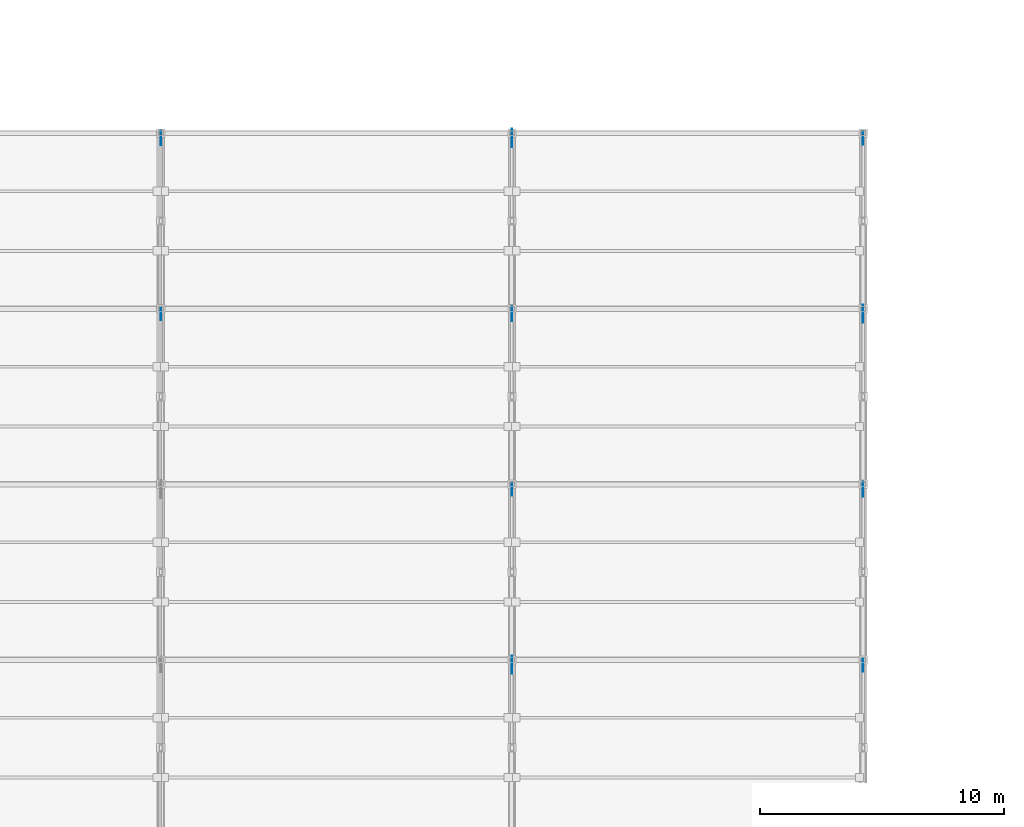
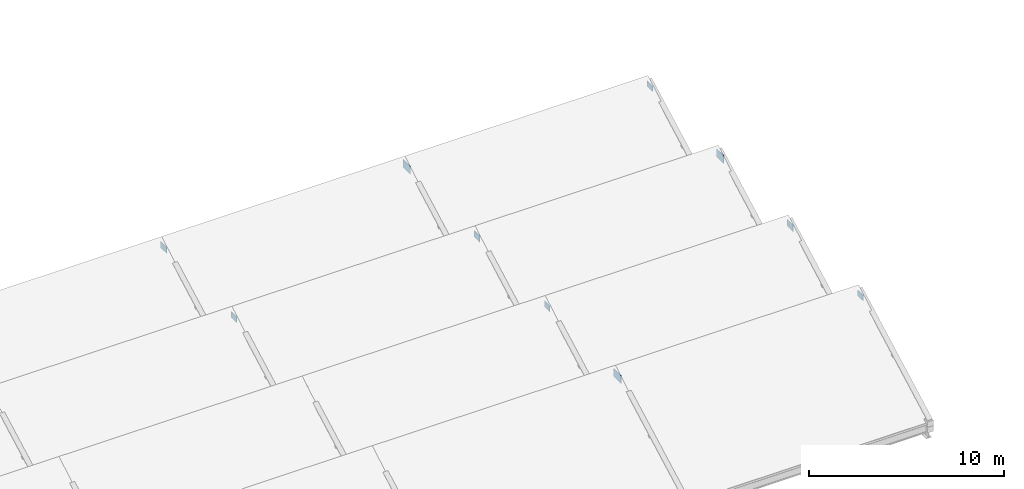
# One storey, part 33 of 51: 10 plates.
"""IFC4 building model written with IfcOpenShell, lengths in metres."""

import ifcopenshell
import ifcopenshell.guid

model = None  # the IFC model being written
_history = None  # IfcOwnerHistory: only IFC2X3 demands one
_inside = {}  # id of a spatial element -> (the spatial element, [elements in it])
_under = {}  # id of a project, library or spatial element -> (it, [spatial elements below it])
_declared = {}  # id of a project -> (the project, [libraries it declares])
_typed = {}  # id of a type object -> (the type object, [elements of that type])
_made_of = {}  # id of a material, layer set ... -> (it, [elements and type objects made of it])


def new_model(schema):
    """Start an empty IFC model of exactly this schema.

    Asked for "IFC4X3", IfcOpenShell would pick the latest addendum, in which some entities
    have other attributes; the version numbers below select the first issue.
    IFC2X3 requires an IfcOwnerHistory on every rooted entity: one is made here for all.
    """
    global model, _history
    if schema == "IFC4X3":
        model = ifcopenshell.file(schema_version=(4, 3, 0, 0))
    else:
        model = ifcopenshell.file(schema=schema)
    _inside.clear()
    _under.clear()
    _declared.clear()
    _typed.clear()
    _made_of.clear()
    _history = None
    if model.schema == "IFC2X3":
        org = make("IfcOrganization", Name="unknown")
        user = make(
            "IfcPersonAndOrganization",
            ThePerson=make("IfcPerson", FamilyName="unknown"),
            TheOrganization=org,
        )
        app = make(
            "IfcApplication",
            ApplicationDeveloper=org,
            Version="unknown",
            ApplicationFullName="unknown",
            ApplicationIdentifier="unknown",
        )
        _history = make(
            "IfcOwnerHistory",
            OwningUser=user,
            OwningApplication=app,
            ChangeAction="ADDED",
            CreationDate=0,
        )
    return model


def make(cls, **values):
    """One entity of the class cls with the attributes given. An attribute that is None is left unset."""
    return model.create_entity(
        cls, **{name: value for name, value in values.items() if value is not None}
    )


def rooted(cls, **values):
    """An entity with a GlobalId (a new one), such as an element, a storey or a relation."""
    return make(cls, GlobalId=ifcopenshell.guid.new(), OwnerHistory=_history, **values)


def si_unit(unit_type, name, prefix=None):
    """IfcSIUnit, for example si_unit("LENGTHUNIT", "METRE", prefix="MILLI")."""
    return make("IfcSIUnit", UnitType=unit_type, Prefix=prefix, Name=name)


def assignment(units):
    """IfcUnitAssignment: the units of a project."""
    return None if units is None else make("IfcUnitAssignment", Units=units)


def point(xyz):
    """IfcCartesianPoint."""
    return None if xyz is None else make("IfcCartesianPoint", Coordinates=xyz)


def direction(xyz):
    """IfcDirection."""
    return None if xyz is None else make("IfcDirection", DirectionRatios=xyz)


def frame(location, z_axis=None, x_axis=None):
    """IfcAxis2Placement3D, a coordinate frame: its origin and axes. An axis left out is left unset."""
    return make(
        "IfcAxis2Placement3D",
        Location=point(location),
        Axis=direction(z_axis),
        RefDirection=direction(x_axis),
    )


def frame_2d(location, x_axis=None):
    """IfcAxis2Placement2D, a coordinate frame in the plane: its origin and x axis."""
    return make(
        "IfcAxis2Placement2D", Location=point(location), RefDirection=direction(x_axis)
    )


def origin():
    """The frame at (0, 0, 0) with its axes left unset."""
    return frame((0.0, 0.0, 0.0))


def origin_2d():
    """The frame at (0, 0) in the plane with its x axis left unset."""
    return frame_2d((0.0, 0.0))


def place(relative_to, where):
    """IfcLocalPlacement: puts the frame where relative to a parent placement (None: the world)."""
    return make(
        "IfcLocalPlacement", PlacementRelTo=relative_to, RelativePlacement=where
    )


def context(
    kind, dimensions, precision=None, world=None, true_north=None, identifier=None
):
    """IfcGeometricRepresentationContext, for example the 3D "Model" context."""
    return make(
        "IfcGeometricRepresentationContext",
        ContextIdentifier=identifier,
        ContextType=kind,
        CoordinateSpaceDimension=dimensions,
        Precision=precision,
        WorldCoordinateSystem=world,
        TrueNorth=true_north,
    )


def subcontext(parent, identifier, kind, view, scale=None):
    """IfcGeometricRepresentationSubContext, for example "Body" below "Model"."""
    return make(
        "IfcGeometricRepresentationSubContext",
        ContextIdentifier=identifier,
        ContextType=kind,
        ParentContext=parent,
        TargetScale=scale,
        TargetView=view,
    )


def project(units=None, contexts=None):
    """IfcProject with its units and contexts."""
    return rooted(
        "IfcProject",
        Name="project",
        RepresentationContexts=contexts,
        UnitsInContext=assignment(units),
    )


def spatial(cls, under=None, at=None, **own):
    """A site, building, storey or space (cls), placed at a placement, below another one or the project."""
    s = rooted(cls, ObjectPlacement=at, **own)
    if under is not None:
        _under.setdefault(under.id(), (under, []))[1].append(s)
    return s


def profile(cls, at=None, kind="AREA", **sizes):
    """A parametric profile (cls). Its sizes go by their IFC names, for example OverallWidth=200.0."""
    return make(cls, ProfileType=kind, Position=at, **sizes)


def rectangle(**sizes):
    """IfcRectangleProfileDef."""
    return profile("IfcRectangleProfileDef", **sizes)


def extrude(swept, where, along, depth):
    """IfcExtrudedAreaSolid: the profile swept, set in the frame where, extruded along a direction by depth."""
    return make(
        "IfcExtrudedAreaSolid",
        SweptArea=swept,
        Position=where,
        ExtrudedDirection=direction(along),
        Depth=depth,
    )


def shape(context_of_items, identifier, shape_type, items):
    """IfcShapeRepresentation: the items that make up one representation, for example the "Body"."""
    return make(
        "IfcShapeRepresentation",
        ContextOfItems=context_of_items,
        RepresentationIdentifier=identifier,
        RepresentationType=shape_type,
        Items=items,
    )


def material(Name=None, Category=None):
    """IfcMaterial."""
    return make("IfcMaterial", Name=Name, Category=Category)


def made_of(thing, what):
    """Note that an element or type object is made of a material, layer set ...; save() writes the relation."""
    if what is not None:
        _made_of.setdefault(what.id(), (what, []))[1].append(thing)
    return thing


def type_object(cls, material=None, **own):
    """A type object (cls), such as IfcWallType, which elements share."""
    return made_of(rooted(cls, **own), material)


def element(
    cls,
    number,
    at=None,
    inside=None,
    cuts=None,
    type_object=None,
    material=None,
    context=None,
    identifier="Body",
    shape_type=None,
    held_by="IfcProductDefinitionShape",
    body=None,
    shapes=None,
    **own,
):
    """One element of the class cls, such as IfcWall. Its Tag is "e" and its number.

    at: its placement. inside: the storey or other place that contains it. cuts: it is an
    opening in that element (IfcRelVoidsElement). A single representation is given by context,
    identifier, shape_type and body (its items); several are given by shapes. held_by: the class
    of the entity that holds the representations. save() writes the other relations.
    """
    e = rooted(cls, Tag="e%d" % number, ObjectPlacement=at, **own)
    if body is not None:
        shapes = [shape(context, identifier, shape_type, body)]
    if shapes is not None:
        e.Representation = make(held_by, Representations=shapes)
    if inside is not None:
        _inside.setdefault(inside.id(), (inside, []))[1].append(e)
    if cuts is not None:
        rooted(
            "IfcRelVoidsElement", RelatingBuildingElement=cuts, RelatedOpeningElement=e
        )
    if type_object is not None:
        _typed.setdefault(type_object.id(), (type_object, []))[1].append(e)
    return made_of(e, material)


def aggregate(whole, parts):
    """IfcRelAggregates: a whole, such as a stair, and the parts it consists of."""
    return rooted("IfcRelAggregates", RelatingObject=whole, RelatedObjects=parts)


def save(model, path):
    """Write the relations noted so far, then the file.

    IfcRelAggregates (storeys below a building ...), IfcRelContainedInSpatialStructure (elements
    in a storey), IfcRelDefinesByType, IfcRelAssociatesMaterial and IfcRelDeclares: one each for
    every whole, place, type object, material and project.
    """
    for whole, parts in _under.values():
        aggregate(whole, parts)
    for where, things in _inside.values():
        rooted(
            "IfcRelContainedInSpatialStructure",
            RelatedElements=things,
            RelatingStructure=where,
        )
    for kind, things in _typed.values():
        rooted("IfcRelDefinesByType", RelatedObjects=things, RelatingType=kind)
    for what, things in _made_of.values():
        rooted("IfcRelAssociatesMaterial", RelatedObjects=things, RelatingMaterial=what)
    for by, libraries in _declared.values():
        rooted("IfcRelDeclares", RelatingContext=by, RelatedDefinitions=libraries)
    model.write(path)


model = new_model("IFC4")

# Units and contexts
model_context = context("Model", 3, precision=1e-05, world=origin(), true_north=direction((0.0, 1.0)))
body_context = subcontext(model_context, "Body", "Model", "MODEL_VIEW")
ifc_project = project(units=[si_unit("LENGTHUNIT", "METRE"), si_unit("AREAUNIT", "SQUARE_METRE"), si_unit("VOLUMEUNIT", "CUBIC_METRE"), si_unit("PLANEANGLEUNIT", "RADIAN"), si_unit("MASSUNIT", "GRAM", prefix="KILO")], contexts=[model_context])

# Site, building, storey
site_placement = place(None, origin())
site = spatial("IfcSite", under=ifc_project, at=site_placement, CompositionType="ELEMENT")
building_placement = place(site_placement, origin())
building = spatial("IfcBuilding", under=site, at=building_placement, Name="Valkovuoma Quantum and Materials Research Institute", CompositionType="ELEMENT")
storey_placement = place(building_placement, frame((0.0, 0.0, 17.280029296875)))
storey = spatial("IfcBuildingStorey", under=building, at=storey_placement, Name="L04", CompositionType="ELEMENT", Elevation=17.280029296875)

# Plates
ifc_material_1 = material(Name="Steel S355J2", Category="steel")
plate_type_1 = type_object("IfcPlateType", Name="Plate-PL-GUS1", PredefinedType="USERDEFINED", material=ifc_material_1)
for number, where, z_axis, x_axis, name in (
    (1, (72.0, 64.60009765625, 3.489990234375), (0.0, 0.0, 1.0), (0.0, 1.0, 0.0), "L04 VOL2 truss gusset 3.4"),
    (2, (86.39990234375, 57.39990234375, 3.489990234375), (0.0, 0.0, 1.0), (0.0, 1.0, 0.0), "L04 VOL2 truss gusset 4.3"),
    (3, (100.800048828125, 50.199951171875, 3.489990234375), (0.0, 0.0, 1.0), (0.0, 1.0, 0.0), "L04 VOL2 truss gusset 5.2"),
):
    element("IfcPlate", number, at=place(storey_placement, frame(where, z_axis=z_axis, x_axis=x_axis)), inside=storey, type_object=plate_type_1, Name=name, ObjectType="GUSSET_PLATE", PredefinedType="USERDEFINED", context=body_context, shape_type="SweptSolid", body=[
        extrude(rectangle(XDim=0.60009765625, YDim=0.02490234375, at=origin_2d()), origin(), (0.0, 0.0, 1.0), 0.39990234375),
    ])
ifc_material_2 = material(Name="Steel S355J2", Category="steel")
plate_type_2 = type_object("IfcPlateType", Name="Plate-PL-GUS2", PredefinedType="USERDEFINED", material=ifc_material_2)
for number, where, z_axis, x_axis, name in (
    (4, (86.39990234375, 43.0, 3.43994140625), (0.0, 0.0, 1.0), (0.0, 1.0, 0.0), "L04 VOL2 truss gusset 4.1"),
    (5, (86.39990234375, 64.60009765625, 3.43994140625), (0.0, 0.0, 1.0), (0.0, 1.0, 0.0), "L04 VOL2 truss gusset 4.4"),
    (6, (100.800048828125, 57.39990234375, 3.43994140625), (0.0, 0.0, 1.0), (0.0, 1.0, 0.0), "L04 VOL2 truss gusset 5.3"),
):
    element("IfcPlate", number, at=place(storey_placement, frame(where, z_axis=z_axis, x_axis=x_axis)), inside=storey, type_object=plate_type_2, Name=name, ObjectType="GUSSET_PLATE", PredefinedType="USERDEFINED", context=body_context, shape_type="SweptSolid", body=[
        extrude(rectangle(XDim=0.75, YDim=0.02490234375, at=origin_2d()), origin(), (0.0, 0.0, 1.0), 0.5),
    ])
ifc_material_3 = material(Name="Steel S355J2", Category="steel")
plate_type_3 = type_object("IfcPlateType", Name="Plate-PL-GUS4", PredefinedType="USERDEFINED", material=ifc_material_3)
for number, where, z_axis, x_axis, name in (
    (7, (72.0, 57.39990234375, 3.509765625), (0.0, 0.0, 1.0), (0.0, 1.0, 0.0), "L04 VOL2 truss gusset 3.3"),
    (8, (86.39990234375, 50.199951171875, 3.509765625), (0.0, 0.0, 1.0), (0.0, 1.0, 0.0), "L04 VOL2 truss gusset 4.2"),
    (9, (100.800048828125, 43.0, 3.509765625), (0.0, 0.0, 1.0), (0.0, 1.0, 0.0), "L04 VOL2 truss gusset 5.1"),
    (10, (100.800048828125, 64.60009765625, 3.509765625), (0.0, 0.0, 1.0), (0.0, 1.0, 0.0), "L04 VOL2 truss gusset 5.4"),
):
    element("IfcPlate", number, at=place(storey_placement, frame(where, z_axis=z_axis, x_axis=x_axis)), inside=storey, type_object=plate_type_3, Name=name, ObjectType="GUSSET_PLATE", PredefinedType="USERDEFINED", context=body_context, shape_type="SweptSolid", body=[
        extrude(rectangle(XDim=0.550048828125, YDim=0.02490234375, at=origin_2d()), origin(), (0.0, 0.0, 1.0), 0.360107421875),
    ])

save(model, "model.ifc")
